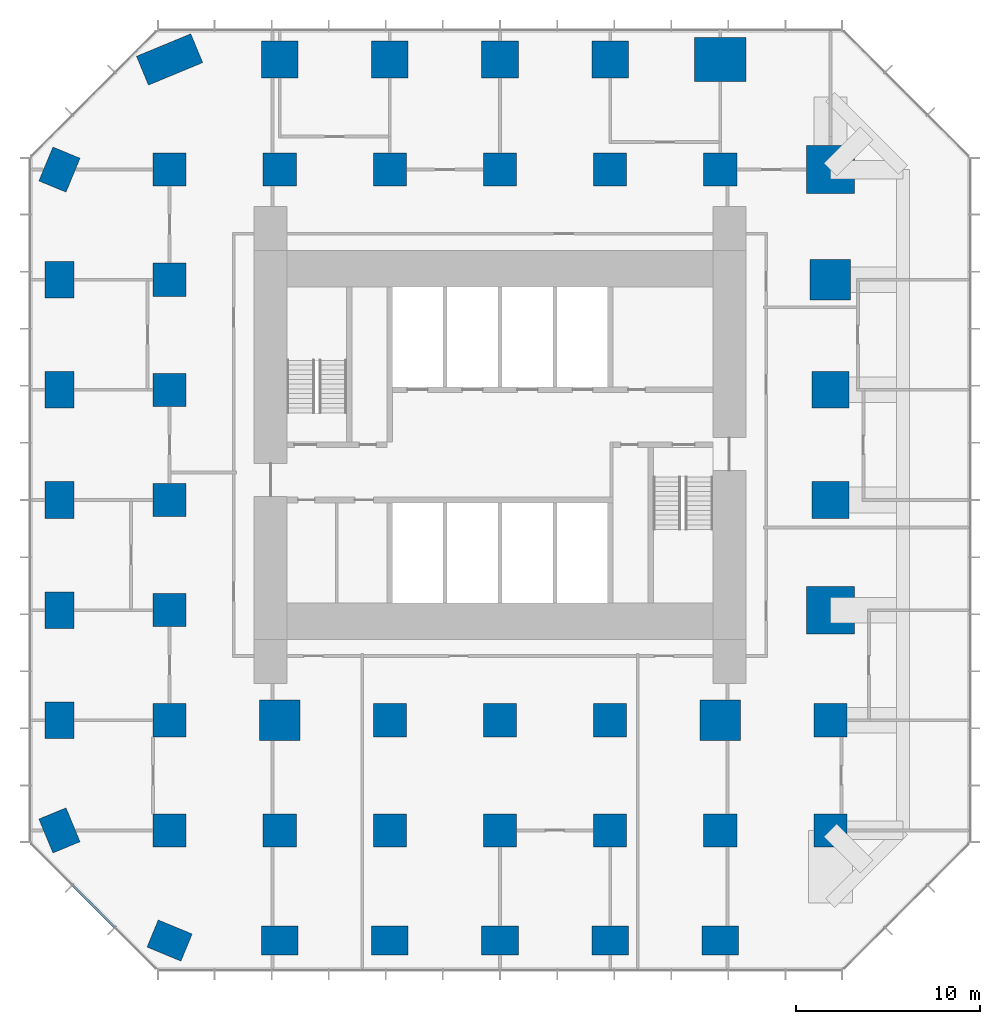
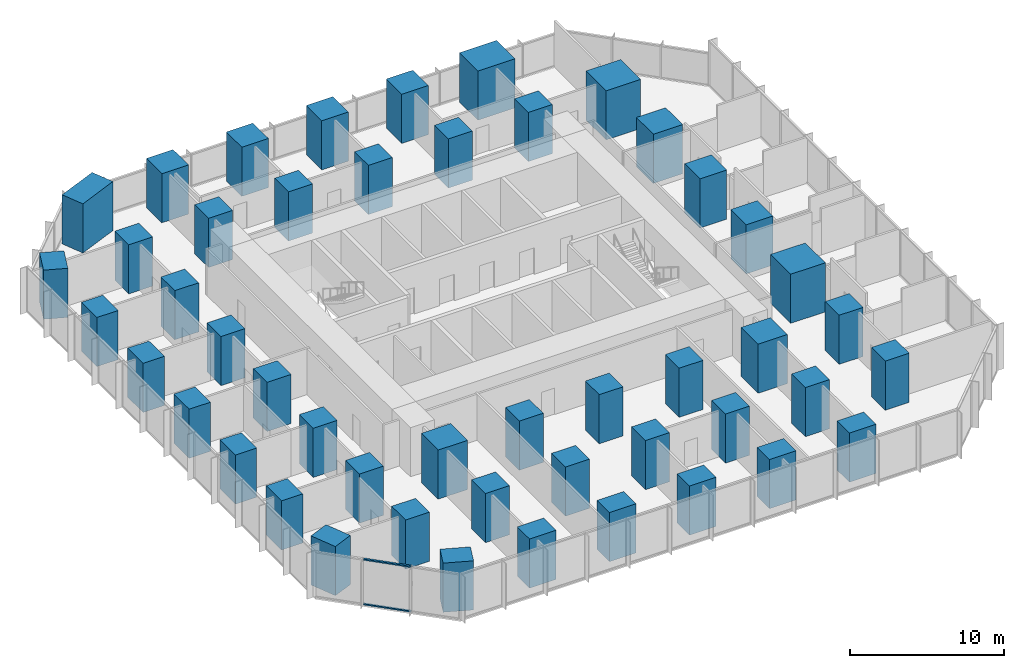
# One storey, part 1 of 13: 48 columns, 2 members, 1 element without a shape of its own.
"""IFC4 building model written with IfcOpenShell, lengths in metres."""

from ifc_helpers import new_model, si_unit, direction, frame, origin, origin_2d, place, context, subcontext, project, spatial, rectangle, extrude, material, layer, layer_set, material_profile, profile_set, type_object, element, aggregate, save


model = new_model("IFC4")

# Units and contexts
model_context = context("Model", 3, precision=1e-05, world=origin(), true_north=direction((0.0, 1.0)))
body_context = subcontext(model_context, "Body", "Model", "MODEL_VIEW")
ifc_project = project(units=[si_unit("LENGTHUNIT", "METRE"), si_unit("AREAUNIT", "SQUARE_METRE"), si_unit("VOLUMEUNIT", "CUBIC_METRE"), si_unit("PLANEANGLEUNIT", "RADIAN"), si_unit("MASSUNIT", "GRAM", prefix="KILO")], contexts=[model_context])

# Site, building, storey
site_placement = place(None, origin())
site = spatial("IfcSite", under=ifc_project, at=site_placement, CompositionType="ELEMENT")
building_placement = place(site_placement, origin())
building = spatial("IfcBuilding", under=site, at=building_placement, Name="Highveld Stack Headquarters", CompositionType="ELEMENT")
storey_placement = place(building_placement, frame((0.0, 0.0, 61.10009765625)))
storey = spatial("IfcBuildingStorey", under=building, at=storey_placement, Name="L14", CompositionType="ELEMENT", Elevation=61.10009765625)

# Columns
ifc_material_1 = material(Name="Concrete C60/75", Category="concrete")
ifc_material_profile_1 = material_profile(ifc_material_1, rectangle(XDim=1.800048828125, YDim=1.800048828125, at=origin_2d()), Name="RC 1800x1800")
ifc_profile_set_1 = profile_set([ifc_material_profile_1], Name="Concrete C60/75")
column_type_1 = type_object("IfcColumnType", Name="COLUMN RC 1800x1800 C60/75", PredefinedType="COLUMN", material=ifc_profile_set_1)
for number, where, z_axis, x_axis, name in (
    (1, (-12.0, -18.0, 0.0), (0.0, 0.0, 1.0), (1.0, 0.0, 0.0), "Column 4/B L14"),
    (2, (-12.0, -12.0, 0.0), (0.0, 0.0, 1.0), (1.0, 0.0, 0.0), "Column 4/C L14"),
    (3, (-12.0, -6.0, 0.0), (0.0, 0.0, 1.0), (1.0, 0.0, 0.0), "Column 4/D L14"),
    (4, (-12.0, 0.0, 0.0), (0.0, 0.0, 1.0), (1.0, 0.0, 0.0), "Column 4/E L14"),
    (5, (-12.0, 6.0, 0.0), (0.0, 0.0, 1.0), (1.0, 0.0, 0.0), "Column 4/F L14"),
    (6, (-12.0, 12.0, 0.0), (0.0, 0.0, 1.0), (1.0, 0.0, 0.0), "Column 4/G L14"),
    (7, (-12.0, 18.0, 0.0), (0.0, 0.0, 1.0), (1.0, 0.0, 0.0), "Column 4/H L14"),
    (8, (-6.0, -18.0, 0.0), (0.0, 0.0, 1.0), (1.0, 0.0, 0.0), "Column 5/B L14"),
    (9, (-6.0, 18.0, 0.0), (0.0, 0.0, 1.0), (1.0, 0.0, 0.0), "Column 5/H L14"),
    (10, (0.0, -18.0, 0.0), (0.0, 0.0, 1.0), (1.0, 0.0, 0.0), "Column 6/B L14"),
    (11, (0.0, -12.0, 0.0), (0.0, 0.0, 1.0), (1.0, 0.0, 0.0), "Column 6/C L14"),
    (12, (0.0, 18.0, 0.0), (0.0, 0.0, 1.0), (1.0, 0.0, 0.0), "Column 6/H L14"),
    (13, (6.0, -18.0, 0.0), (0.0, 0.0, 1.0), (1.0, 0.0, 0.0), "Column 7/B L14"),
    (14, (6.0, -12.0, 0.0), (0.0, 0.0, 1.0), (1.0, 0.0, 0.0), "Column 7/C L14"),
    (15, (6.0, 18.0, 0.0), (0.0, 0.0, 1.0), (1.0, 0.0, 0.0), "Column 7/H L14"),
    (16, (12.0, -18.0, 0.0), (0.0, 0.0, 1.0), (1.0, 0.0, 0.0), "Column 8/B L14"),
    (17, (12.0, -12.0, 0.0), (0.0, 0.0, 1.0), (1.0, 0.0, 0.0), "Column 8/C L14"),
    (18, (12.0, 18.0, 0.0), (0.0, 0.0, 1.0), (1.0, 0.0, 0.0), "Column 8/H L14"),
    (19, (18.0, -18.0, 0.0), (0.0, 0.0, 1.0), (1.0, 0.0, 0.0), "Column 9/B L14"),
    (20, (18.0, 18.0, 0.0), (0.0, 0.0, 1.0), (1.0, 0.0, 0.0), "Column 9/H L14"),
    (21, (24.0, -18.0, 0.0), (0.0, 0.0, 1.0), (1.0, 0.0, 0.0), "Column 10/B L14"),
    (22, (24.0, -12.0, 0.0), (0.0, 0.0, 1.0), (1.0, 0.0, 0.0), "Column 10/C L14"),
):
    element("IfcColumn", number, at=place(storey_placement, frame(where, z_axis=z_axis, x_axis=x_axis)), inside=storey, type_object=column_type_1, Name=name, PredefinedType="COLUMN", context=body_context, shape_type="SweptSolid", body=[
        extrude(rectangle(XDim=1.800048828125, YDim=1.800048828125, at=origin_2d()), origin(), (0.0, 0.0, 1.0), 3.89990234375),
    ])
ifc_material_2 = material(Name="Concrete C60/75", Category="concrete")
ifc_material_profile_2 = material_profile(ifc_material_2, rectangle(XDim=2.0, YDim=1.60009765625, at=origin_2d()), Name="RC 2000x1600")
ifc_profile_set_2 = profile_set([ifc_material_profile_2], Name="Concrete C60/75")
column_type_2 = type_object("IfcColumnType", Name="COLUMN RC 2000x1600 C60/75", PredefinedType="COLUMN", material=ifc_profile_set_2)
for number, where, z_axis, x_axis, name in (
    (23, (-18.0, -18.0, 0.0), (0.0, 0.0, 1.0), (-0.382683432365, 0.923879532511, 0.0), "Column 3/B L14"),
    (24, (-18.0, -12.0, 0.0), (0.0, 0.0, 1.0), (0.0, 1.0, 0.0), "Column 3/C L14"),
    (25, (-18.0, -6.0, 0.0), (0.0, 0.0, 1.0), (0.0, 1.0, 0.0), "Column 3/D L14"),
    (26, (-18.0, 0.0, 0.0), (0.0, 0.0, 1.0), (0.0, 1.0, 0.0), "Column 3/E L14"),
    (27, (-18.0, 6.0, 0.0), (0.0, 0.0, 1.0), (0.0, 1.0, 0.0), "Column 3/F L14"),
    (28, (-18.0, 12.0, 0.0), (0.0, 0.0, 1.0), (0.0, 1.0, 0.0), "Column 3/G L14"),
    (29, (-18.0, 18.0, 0.0), (0.0, 0.0, 1.0), (0.382683432365, 0.923879532511, 0.0), "Column 3/H L14"),
    (30, (-12.0, -24.0, 0.0), (0.0, 0.0, 1.0), (-0.923879532511, 0.382683432365, 0.0), "Column 4/A L14"),
    (31, (-6.0, -24.0, 0.0), (0.0, 0.0, 1.0), (1.0, 0.0, 0.0), "Column 5/A L14"),
    (32, (0.0, -24.0, 0.0), (0.0, 0.0, 1.0), (1.0, 0.0, 0.0), "Column 6/A L14"),
    (33, (6.0, -24.0, 0.0), (0.0, 0.0, 1.0), (1.0, 0.0, 0.0), "Column 7/A L14"),
    (34, (12.0, -24.0, 0.0), (0.0, 0.0, 1.0), (1.0, 0.0, 0.0), "Column 8/A L14"),
    (35, (18.0, -24.0, 0.0), (0.0, 0.0, 1.0), (1.0, 0.0, 0.0), "Column 9/A L14"),
):
    element("IfcColumn", number, at=place(storey_placement, frame(where, z_axis=z_axis, x_axis=x_axis)), inside=storey, type_object=column_type_2, Name=name, PredefinedType="COLUMN", context=body_context, shape_type="SweptSolid", body=[
        extrude(rectangle(XDim=2.0, YDim=1.60009765625, at=origin_2d()), origin(), (0.0, 0.0, 1.0), 3.89990234375),
    ])
ifc_material_3 = material(Name="Concrete C60/75", Category="concrete")
ifc_material_profile_3 = material_profile(ifc_material_3, rectangle(XDim=2.0, YDim=2.0, at=origin_2d()), Name="RC 2000x2000")
ifc_profile_set_3 = profile_set([ifc_material_profile_3], Name="Concrete C60/75")
column_type_3 = type_object("IfcColumnType", Name="COLUMN RC 2000x2000 C60/75", PredefinedType="COLUMN", material=ifc_profile_set_3)
for number, where, z_axis, x_axis, name in (
    (36, (-6.0, 24.0, 0.0), (0.0, 0.0, 1.0), (1.0, 0.0, 0.0), "Column 5/J L14"),
    (37, (0.0, 24.0, 0.0), (0.0, 0.0, 1.0), (1.0, 0.0, 0.0), "Column 6/J L14"),
    (38, (6.0, 24.0, 0.0), (0.0, 0.0, 1.0), (1.0, 0.0, 0.0), "Column 7/J L14"),
    (39, (12.0, 24.0, 0.0), (0.0, 0.0, 1.0), (1.0, 0.0, 0.0), "Column 8/J L14"),
    (40, (24.0, 0.0, 0.0), (0.0, 0.0, 1.0), (1.0, 0.0, 0.0), "Column 10/E L14"),
    (41, (24.0, 6.0, 0.0), (0.0, 0.0, 1.0), (1.0, 0.0, 0.0), "Column 10/F L14"),
):
    element("IfcColumn", number, at=place(storey_placement, frame(where, z_axis=z_axis, x_axis=x_axis)), inside=storey, type_object=column_type_3, Name=name, PredefinedType="COLUMN", context=body_context, shape_type="SweptSolid", body=[
        extrude(rectangle(XDim=2.0, YDim=2.0, at=origin_2d()), origin(), (0.0, 0.0, 1.0), 3.89990234375),
    ])
ifc_material_4 = material(Name="Concrete C60/75", Category="concrete")
ifc_material_profile_4 = material_profile(ifc_material_4, rectangle(XDim=2.199951171875, YDim=2.199951171875, at=origin_2d()), Name="RC 2200x2200")
ifc_profile_set_4 = profile_set([ifc_material_profile_4], Name="Concrete C60/75")
column_type_4 = type_object("IfcColumnType", Name="COLUMN RC 2200x2200 C60/75", PredefinedType="COLUMN", material=ifc_profile_set_4)
for number, where, z_axis, x_axis, name in (
    (42, (-6.0, -12.0, 0.0), (0.0, 0.0, 1.0), (1.0, 0.0, 0.0), "Column 5/C L14"),
    (43, (18.0, -12.0, 0.0), (0.0, 0.0, 1.0), (1.0, 0.0, 0.0), "Column 9/C L14"),
    (44, (24.0, 12.0, 0.0), (0.0, 0.0, 1.0), (1.0, 0.0, 0.0), "Column 10/G L14"),
):
    element("IfcColumn", number, at=place(storey_placement, frame(where, z_axis=z_axis, x_axis=x_axis)), inside=storey, type_object=column_type_4, Name=name, PredefinedType="COLUMN", context=body_context, shape_type="SweptSolid", body=[
        extrude(rectangle(XDim=2.199951171875, YDim=2.199951171875, at=origin_2d()), origin(), (0.0, 0.0, 1.0), 3.89990234375),
    ])
ifc_material_5 = material(Name="Concrete C60/75", Category="concrete")
ifc_material_profile_5 = material_profile(ifc_material_5, rectangle(XDim=2.60009765625, YDim=2.60009765625, at=origin_2d()), Name="RC 2600x2600")
ifc_profile_set_5 = profile_set([ifc_material_profile_5], Name="Concrete C60/75")
column_type_5 = type_object("IfcColumnType", Name="COLUMN RC 2600x2600 C60/75", PredefinedType="COLUMN", material=ifc_profile_set_5)
for number, where, z_axis, x_axis, name in (
    (45, (24.0, -6.0, 0.0), (0.0, 0.0, 1.0), (1.0, 0.0, 0.0), "Column 10/D L14"),
    (46, (24.0, 18.0, 0.0), (0.0, 0.0, 1.0), (1.0, 0.0, 0.0), "Column 10/H L14"),
):
    element("IfcColumn", number, at=place(storey_placement, frame(where, z_axis=z_axis, x_axis=x_axis)), inside=storey, type_object=column_type_5, Name=name, PredefinedType="COLUMN", context=body_context, shape_type="SweptSolid", body=[
        extrude(rectangle(XDim=2.60009765625, YDim=2.60009765625, at=origin_2d()), origin(), (0.0, 0.0, 1.0), 3.89990234375),
    ])
ifc_material_6 = material(Name="Concrete C60/75", Category="concrete")
ifc_material_profile_6 = material_profile(ifc_material_6, rectangle(XDim=2.800048828125, YDim=2.39990234375, at=origin_2d()), Name="RC 2800x2400")
ifc_profile_set_6 = profile_set([ifc_material_profile_6], Name="Concrete C60/75")
column_type_6 = type_object("IfcColumnType", Name="COLUMN RC 2800x2400 C60/75", PredefinedType="COLUMN", material=ifc_profile_set_6)
column_1_placement = place(storey_placement, frame((18.0, 24.0, 0.0), z_axis=(0.0, 0.0, 1.0), x_axis=(1.0, 0.0, 0.0)))
element("IfcColumn", 47, at=column_1_placement, inside=storey, type_object=column_type_6, Name="Column 9/J L14", PredefinedType="COLUMN", context=body_context, shape_type="SweptSolid", body=[
    extrude(rectangle(XDim=2.800048828125, YDim=2.39990234375, at=origin_2d()), origin(), (0.0, 0.0, 1.0), 3.89990234375),
])
ifc_material_7 = material(Name="Concrete C60/75", Category="concrete")
ifc_material_profile_7 = material_profile(ifc_material_7, rectangle(XDim=3.199951171875, YDim=1.699951171875, at=origin_2d()), Name="RC 3200x1700")
ifc_profile_set_7 = profile_set([ifc_material_profile_7], Name="Concrete C60/75")
column_type_7 = type_object("IfcColumnType", Name="COLUMN RC 3200x1700 C60/75", PredefinedType="COLUMN", material=ifc_profile_set_7)
column_2_placement = place(storey_placement, frame((-12.0, 24.0, 0.0), z_axis=(0.0, 0.0, 1.0), x_axis=(0.923879532511, 0.382683432365, 0.0)))
element("IfcColumn", 48, at=column_2_placement, inside=storey, type_object=column_type_7, Name="Column 4/J L14", PredefinedType="COLUMN", context=body_context, shape_type="SweptSolid", body=[
    extrude(rectangle(XDim=3.199951171875, YDim=1.699951171875, at=origin_2d()), origin(), (0.0, 0.0, 1.0), 3.89990234375),
])

# Curtain wall, members
ifc_material_8 = material(Name="Aluminium bronze anodised", Category="aluminium")
ifc_layer = layer(ifc_material_8, 0.199951171875)
ifc_layer_set = layer_set([ifc_layer], Name="Aluminium bronze anodised")
curtain_wall_type = type_object("IfcCurtainWallType", Name="CW2 TOWER CHAMFER UNITISED CURTAIN WALL", PredefinedType="NOTDEFINED", material=ifc_layer_set)
curtain_wall_placement = place(storey_placement, origin())
curtain_wall = element("IfcCurtainWall", 49, at=curtain_wall_placement, inside=storey, type_object=curtain_wall_type, Name="Curtain wall CW2 L14 SW", PredefinedType="NOTDEFINED")
ifc_material_9 = material(Name="Aluminium bronze anodised", Category="aluminium")
ifc_material_profile_8 = material_profile(ifc_material_9, rectangle(XDim=0.14990234375, YDim=0.10009765625, at=origin_2d()), Name="CW2 TRANSOM 150x100")
ifc_profile_set_8 = profile_set([ifc_material_profile_8], Name="Aluminium bronze anodised")
member_type = type_object("IfcMemberType", Name="CW2 STACK TRANSOM 150x100", PredefinedType="USERDEFINED", material=ifc_profile_set_8)
member_1_placement = place(storey_placement, frame((-17.2646484375, -20.998046875, 0.0498046875), z_axis=(0.707106781187, -0.707106781187, 0.0), x_axis=(0.707106781187, 0.707106781187, 0.0)))
member_1 = element("IfcMember", 50, at=member_1_placement, type_object=member_type, Name="CW2 transom L14 2.1", ObjectType="TRANSOM", PredefinedType="USERDEFINED", context=body_context, shape_type="SweptSolid", body=[
    extrude(rectangle(XDim=0.14990234375, YDim=0.10009765625, at=origin_2d()), origin(), (0.0, 0.0, 1.0), 3.20556640625),
])
member_2_placement = place(storey_placement, frame((-17.2646484375, -20.998046875, 3.599853515625), z_axis=(0.707106781187, -0.707106781187, 0.0), x_axis=(0.707106781187, 0.707106781187, 0.0)))
member_2 = element("IfcMember", 51, at=member_2_placement, type_object=member_type, Name="CW2 transom L14 2.2", ObjectType="TRANSOM", PredefinedType="USERDEFINED", context=body_context, shape_type="SweptSolid", body=[
    extrude(rectangle(XDim=0.14990234375, YDim=0.10009765625, at=origin_2d()), origin(), (0.0, 0.0, 1.0), 3.20556640625),
])
aggregate(curtain_wall, [member_1, member_2])

save(model, "model.ifc")
